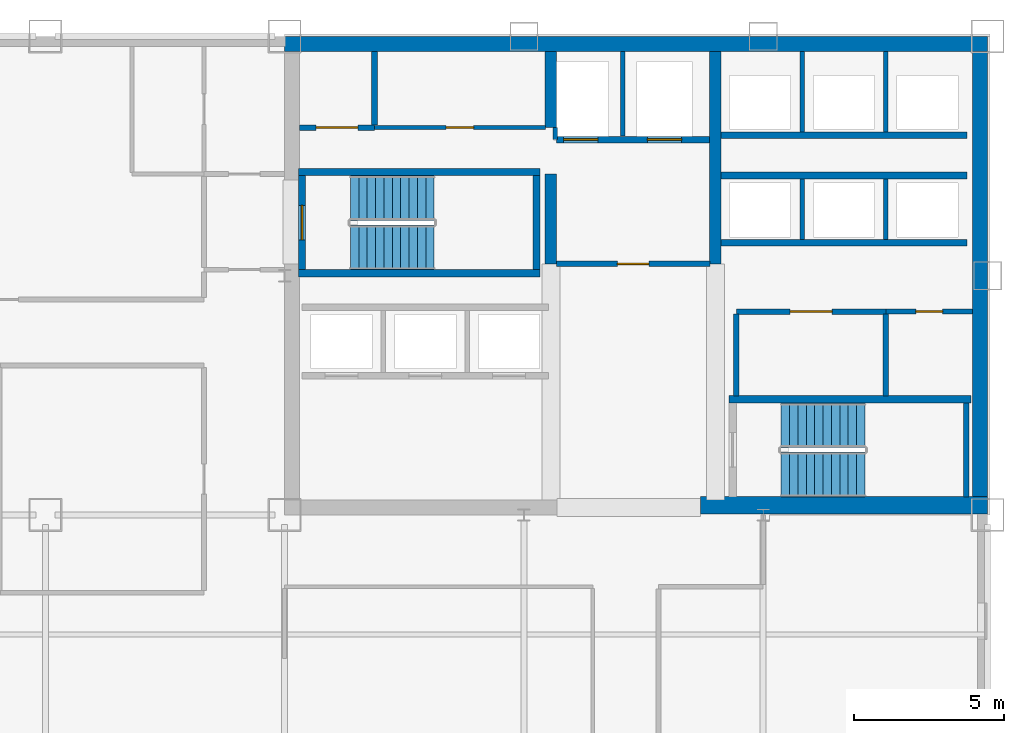
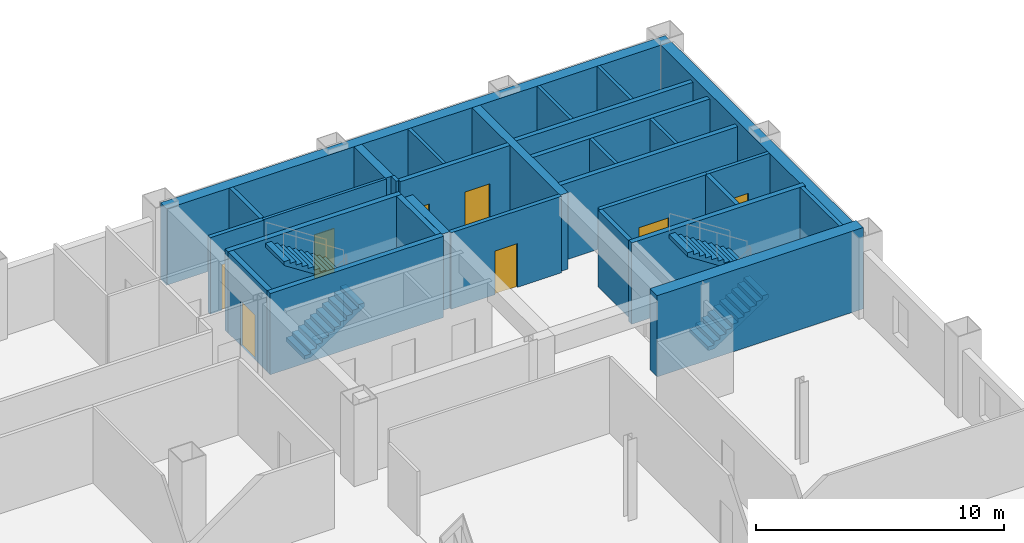
# One storey, part 7 of 9: 30 walls, 8 doors, 4 stair flights, 8 openings, 2 elements without a shape of their own.
"""IFC4 building model written with IfcOpenShell, lengths in metres."""

from ifc_helpers import new_model, si_unit, direction, frame, frame_2d, origin, place, context, subcontext, project, spatial, polyline, rectangle, outline, extrude, material, layer, layer_set, type_object, element, fill, aggregate, save


model = new_model("IFC4")

# Units and contexts
model_context = context("Model", 3, precision=1e-05, world=origin(), true_north=direction((0.0, 1.0)))
body_context = subcontext(model_context, "Body", "Model", "MODEL_VIEW")
ifc_project = project(units=[si_unit("LENGTHUNIT", "METRE"), si_unit("AREAUNIT", "SQUARE_METRE"), si_unit("VOLUMEUNIT", "CUBIC_METRE"), si_unit("PLANEANGLEUNIT", "RADIAN"), si_unit("MASSUNIT", "GRAM", prefix="KILO")], contexts=[model_context])

# Site, building, storey
site_placement = place(None, origin())
site = spatial("IfcSite", under=ifc_project, at=site_placement, CompositionType="ELEMENT")
building_placement = place(site_placement, origin())
building = spatial("IfcBuilding", under=site, at=building_placement, Name="Qianrong Seaharbour Tower", CompositionType="ELEMENT")
storey_placement = place(building_placement, frame((0.0, 0.0, 147.0)))
storey = spatial("IfcBuildingStorey", under=building, at=storey_placement, Name="L35", CompositionType="ELEMENT", Elevation=147.0)

# Walls
ifc_material_1 = material(Name="Concrete C60/75", Category="concrete")
ifc_layer_1 = layer(ifc_material_1, 0.5)
ifc_layer_set_1 = layer_set([ifc_layer_1], Name="Concrete C60/75")
wall_type_1 = type_object("IfcWallType", Name="WALL-CORE-500", PredefinedType="SHEAR", material=ifc_layer_set_1)
wall_1_placement = place(storey_placement, frame((40.5, 51.75, 0.0), z_axis=(0.0, 0.0, 1.0), x_axis=(1.0, 0.0, 0.0)))
element("IfcWall", 1, at=wall_1_placement, inside=storey, type_object=wall_type_1, Name="L35 North Core Shear Wall", PredefinedType="SHEAR", context=body_context, shape_type="SweptSolid", body=[
    extrude(rectangle(XDim=23.5, YDim=0.5, at=frame_2d((11.75, 0.0))), origin(), (0.0, 0.0, 1.0), 3.764892578125),
])
wall_2_placement = place(storey_placement, frame((63.75, 36.320068359375, 0.0), z_axis=(0.0, 0.0, 1.0), x_axis=(0.0, 1.0, 0.0)))
element("IfcWall", 2, at=wall_2_placement, inside=storey, type_object=wall_type_1, Name="L35 East Core Shear Wall", PredefinedType="SHEAR", context=body_context, shape_type="SweptSolid", body=[
    extrude(rectangle(XDim=15.179931640625, YDim=0.5, at=frame_2d((7.58984375, 0.0))), origin(), (0.0, 0.0, 1.0), 3.764892578125),
])
ifc_material_2 = material(Name="Concrete C70/85", Category="concrete")
ifc_layer_2 = layer(ifc_material_2, 0.580078125)
ifc_layer_set_2 = layer_set([ifc_layer_2], Name="Concrete C70/85")
wall_type_2 = type_object("IfcWallType", Name="WALL-CORE-580", PredefinedType="SHEAR", material=ifc_layer_set_2)
wall_3_placement = place(storey_placement, frame((54.39990234375, 36.320068359375, 0.0), z_axis=(0.0, 0.0, 1.0), x_axis=(1.0, 0.0, 0.0)))
element("IfcWall", 3, at=wall_3_placement, inside=storey, type_object=wall_type_2, Name="L35 South Core Shear Wall S3", PredefinedType="SHEAR", context=body_context, shape_type="SweptSolid", body=[
    extrude(rectangle(XDim=9.60009765625, YDim=0.580078125, at=frame_2d((4.800048828125, 0.0))), origin(), (0.0, 0.0, 1.0), 4.0),
])
ifc_layer_3 = layer(ifc_material_1, 0.3798828125)
ifc_layer_set_3 = layer_set([ifc_layer_3], Name="Concrete C60/75")
wall_type_3 = type_object("IfcWallType", Name="WALL-CORE-INT-380", PredefinedType="SHEAR", material=ifc_layer_set_3)
wall_4_placement = place(storey_placement, frame((49.39990234375, 44.39990234375, 0.0), z_axis=(0.0, 0.0, 1.0), x_axis=(0.0, 1.0, 0.0)))
element("IfcWall", 4, at=wall_4_placement, inside=storey, type_object=wall_type_3, Name="L35 Internal Core Shear Wall IW1N1", PredefinedType="SHEAR", context=body_context, shape_type="SweptSolid", body=[
    extrude(rectangle(XDim=3.0, YDim=0.3798828125, at=frame_2d((1.5, 0.0))), origin(), (0.0, 0.0, 1.0), 3.764892578125),
])
wall_5_placement = place(storey_placement, frame((49.39990234375, 48.949951171875, 0.0), z_axis=(0.0, 0.0, 1.0), x_axis=(0.0, 1.0, 0.0)))
element("IfcWall", 5, at=wall_5_placement, inside=storey, type_object=wall_type_3, Name="L35 Internal Core Shear Wall IW1N2", PredefinedType="SHEAR", context=body_context, shape_type="SweptSolid", body=[
    extrude(rectangle(XDim=2.550048828125, YDim=0.3798828125, at=frame_2d((1.27490234375, 0.0))), origin(), (0.0, 0.0, 1.0), 3.764892578125),
])
wall_6_placement = place(storey_placement, frame((54.89990234375, 44.39990234375, 0.0), z_axis=(0.0, 0.0, 1.0), x_axis=(0.0, 1.0, 0.0)))
element("IfcWall", 6, at=wall_6_placement, inside=storey, type_object=wall_type_3, Name="L35 Internal Core Shear Wall IW2N", PredefinedType="SHEAR", context=body_context, shape_type="SweptSolid", body=[
    extrude(rectangle(XDim=7.10009765625, YDim=0.3798828125, at=frame_2d((3.550048828125, 0.0))), origin(), (0.0, 0.0, 1.0), 3.764892578125),
])

# Wall, opening, door
ifc_material_3 = material(Name="Fire-rated acoustic gypsum board partition")
ifc_layer_4 = layer(ifc_material_3, 0.1650390625)
ifc_layer_set_4 = layer_set([ifc_layer_4], Name="Fire-rated acoustic gypsum board partition")
wall_type_4 = type_object("IfcWallType", Name="WALL-CORR-PART-165", PredefinedType="PARTITIONING", material=ifc_layer_set_4)
wall_7_placement = place(storey_placement, frame((63.5, 42.800048828125, 0.0), z_axis=(0.0, 0.0, 1.0), x_axis=(-1.0, 0.0, 0.0)))
wall_7 = element("IfcWall", 7, at=wall_7_placement, inside=storey, type_object=wall_type_4, Name="L35 Interior Partition Wall 012", PredefinedType="PARTITIONING", context=body_context, shape_type="SweptSolid", body=[
    extrude(rectangle(XDim=2.89990234375, YDim=0.1650390625, at=frame_2d((1.449951171875, 0.0))), origin(), (0.0, 0.0, 1.0), 3.764892578125),
])
opening_1_placement = place(wall_7_placement, frame((1.0, 0.0, 0.0)))
opening_1 = element("IfcOpeningElement", 8, at=opening_1_placement, cuts=wall_7, Name="Opening DS-01", PredefinedType="OPENING", context=body_context, shape_type="SweptSolid", body=[
    extrude(rectangle(XDim=0.89990234375, YDim=2.14990234375, at=frame_2d((0.449951171875, 1.074951171875))), frame((0.0, 0.092529296875, 0.0), z_axis=(0.0, -1.0, 0.0), x_axis=(1.0, 0.0, 0.0)), (0.0, 0.0, 1.0), 0.18505859375),
])
ifc_material_4 = material(Name="Acoustic timber and galvanized steel fire door assembly", Category="steel")
door_type_1 = type_object("IfcDoorType", Name="DOOR-STORE-900x2150", OperationType="NOTDEFINED", PredefinedType="DOOR", material=ifc_material_4)
door_1_placement = place(opening_1_placement, origin())
door_1 = element("IfcDoor", 9, at=door_1_placement, inside=storey, type_object=door_type_1, Name="L35 Housekeeping Linen Store Door", OperationType="SINGLE_SWING_LEFT", OverallHeight=2.14990234375, OverallWidth=0.89990234375, PredefinedType="DOOR", context=body_context, shape_type="SweptSolid", body=[
    extrude(rectangle(XDim=0.89990234375, YDim=2.14990234375, at=frame_2d((0.449951171875, 1.074951171875))), frame((0.0, 0.02490234375, 0.0), z_axis=(0.0, -1.0, 0.0), x_axis=(1.0, 0.0, 0.0)), (0.0, 0.0, 1.0), 0.050048828125),
])
fill(opening_1, door_1)

ifc_material_5 = material(Name="Double fire-rated gypsum board acoustic partition")
ifc_layer_5 = layer(ifc_material_5, 0.18994140625)
ifc_layer_set_5 = layer_set([ifc_layer_5], Name="Double fire-rated gypsum board acoustic partition")
wall_type_5 = type_object("IfcWallType", Name="WALL-FIRE-PART-190", PredefinedType="PARTITIONING", material=ifc_layer_set_5)
wall_8_placement = place(storey_placement, frame((41.0, 48.949951171875, 0.0), z_axis=(0.0, 0.0, 1.0), x_axis=(1.0, 0.0, 0.0)))
wall_8 = element("IfcWall", 10, at=wall_8_placement, inside=storey, type_object=wall_type_5, Name="L35 Interior Partition Wall 007", PredefinedType="PARTITIONING", context=body_context, shape_type="SweptSolid", body=[
    extrude(rectangle(XDim=2.5, YDim=0.18994140625, at=frame_2d((1.25, 0.0))), origin(), (0.0, 0.0, 1.0), 3.764892578125),
])
opening_2_placement = place(wall_8_placement, frame((0.550048828125, 0.0, 0.0)))
opening_2 = element("IfcOpeningElement", 11, at=opening_2_placement, cuts=wall_8, Name="Opening DP-01", PredefinedType="OPENING", context=body_context, shape_type="SweptSolid", body=[
    extrude(rectangle(XDim=1.39990234375, YDim=2.25, at=frame_2d((0.699951171875, 1.125))), frame((0.0, 0.10498046875, 0.0), z_axis=(0.0, -1.0, 0.0), x_axis=(1.0, 0.0, 0.0)), (0.0, 0.0, 1.0), 0.2099609375),
])
door_type_2 = type_object("IfcDoorType", Name="DOOR-PLANT-PAIR-1400x2250", OperationType="DOUBLE_DOOR_SINGLE_SWING", PredefinedType="DOOR", material=ifc_material_4)
door_2_placement = place(opening_2_placement, origin())
door_2 = element("IfcDoor", 12, at=door_2_placement, inside=storey, type_object=door_type_2, Name="L35 Core Electrical Closet Door", OperationType="DOUBLE_DOOR_SINGLE_SWING", OverallHeight=2.25, OverallWidth=1.39990234375, PredefinedType="DOOR", context=body_context, shape_type="SweptSolid", body=[
    extrude(rectangle(XDim=1.39990234375, YDim=2.25, at=frame_2d((0.699951171875, 1.125))), frame((0.0, 0.02490234375, 0.0), z_axis=(0.0, -1.0, 0.0), x_axis=(1.0, 0.0, 0.0)), (0.0, 0.0, 1.0), 0.050048828125),
])
fill(opening_2, door_2)

wall_9_placement = place(storey_placement, frame((54.718017578125, 44.39990234375, 0.0), z_axis=(0.0, 0.0, 1.0), x_axis=(-1.0, 0.0, 0.0)))
wall_9 = element("IfcWall", 13, at=wall_9_placement, inside=storey, type_object=wall_type_5, Name="L35 Interior Partition Wall 009", PredefinedType="PARTITIONING", context=body_context, shape_type="SweptSolid", body=[
    extrude(rectangle(XDim=5.135986328125, YDim=0.18994140625, at=frame_2d((2.56787109375, 0.0))), origin(), (0.0, 0.0, 1.0), 3.764892578125),
])
opening_3_placement = place(wall_9_placement, frame((2.04296875, 0.0, 0.0)))
opening_3 = element("IfcOpeningElement", 14, at=opening_3_placement, cuts=wall_9, Name="Opening DC-01", PredefinedType="OPENING", context=body_context, shape_type="SweptSolid", body=[
    extrude(rectangle(XDim=1.050048828125, YDim=2.14990234375, at=frame_2d((0.52490234375, 1.074951171875))), frame((0.0, 0.10498046875, 0.0), z_axis=(0.0, -1.0, 0.0), x_axis=(1.0, 0.0, 0.0)), (0.0, 0.0, 1.0), 0.2099609375),
])
door_type_3 = type_object("IfcDoorType", Name="DOOR-CORR-FD60-1050x2150", OperationType="NOTDEFINED", PredefinedType="DOOR", material=ifc_material_4)
door_3_placement = place(opening_3_placement, origin())
door_3 = element("IfcDoor", 15, at=door_3_placement, inside=storey, type_object=door_type_3, Name="L35 Firefighting Lift Lobby Door", OperationType="SINGLE_SWING_LEFT", OverallHeight=2.14990234375, OverallWidth=1.050048828125, PredefinedType="DOOR", context=body_context, shape_type="SweptSolid", body=[
    extrude(rectangle(XDim=1.050048828125, YDim=2.14990234375, at=frame_2d((0.52490234375, 1.074951171875))), frame((0.0, 0.02490234375, 0.0), z_axis=(0.0, -1.0, 0.0), x_axis=(1.0, 0.0, 0.0)), (0.0, 0.0, 1.0), 0.050048828125),
])
fill(opening_3, door_3)

# Wall
wall_10_placement = place(storey_placement, frame((55.60009765625, 42.712890625, 0.0), z_axis=(0.0, 0.0, 1.0), x_axis=(0.0, -1.0, 0.0)))
element("IfcWall", 16, at=wall_10_placement, inside=storey, type_object=wall_type_5, Name="L35 Interior Partition Wall 010", PredefinedType="PARTITIONING", context=body_context, shape_type="SweptSolid", body=[
    extrude(rectangle(XDim=2.73095703125, YDim=0.18994140625, at=frame_2d((1.365478515625, 0.0))), origin(), (0.0, 0.0, 1.0), 3.764892578125),
])

# Wall, opening, door
wall_11_placement = place(storey_placement, frame((60.60009765625, 42.800048828125, 0.0), z_axis=(0.0, 0.0, 1.0), x_axis=(-1.0, 0.0, 0.0)))
wall_11 = element("IfcWall", 17, at=wall_11_placement, inside=storey, type_object=wall_type_5, Name="L35 Interior Partition Wall 011", PredefinedType="PARTITIONING", context=body_context, shape_type="SweptSolid", body=[
    extrude(rectangle(XDim=5.0, YDim=0.18994140625, at=frame_2d((2.5, 0.0))), origin(), (0.0, 0.0, 1.0), 3.764892578125),
])
opening_4_placement = place(wall_11_placement, frame((1.800048828125, 0.0, 0.0)))
opening_4 = element("IfcOpeningElement", 18, at=opening_4_placement, cuts=wall_11, Name="Opening DP-01", PredefinedType="OPENING", context=body_context, shape_type="SweptSolid", body=[
    extrude(rectangle(XDim=1.39990234375, YDim=2.25, at=frame_2d((0.699951171875, 1.125))), frame((0.0, 0.10498046875, 0.0), z_axis=(0.0, -1.0, 0.0), x_axis=(1.0, 0.0, 0.0)), (0.0, 0.0, 1.0), 0.2099609375),
])
door_4_placement = place(opening_4_placement, origin())
door_4 = element("IfcDoor", 19, at=door_4_placement, inside=storey, type_object=door_type_2, Name="L35 Submetering Switch Room Door", OperationType="DOUBLE_DOOR_SINGLE_SWING", OverallHeight=2.25, OverallWidth=1.39990234375, PredefinedType="DOOR", context=body_context, shape_type="SweptSolid", body=[
    extrude(rectangle(XDim=1.39990234375, YDim=2.25, at=frame_2d((0.699951171875, 1.125))), frame((0.0, 0.02490234375, 0.0), z_axis=(0.0, -1.0, 0.0), x_axis=(1.0, 0.0, 0.0)), (0.0, 0.0, 1.0), 0.050048828125),
])
fill(opening_4, door_4)

# Walls
wall_12_placement = place(storey_placement, frame((43.5, 51.5, 0.0), z_axis=(0.0, 0.0, 1.0), x_axis=(0.0, -1.0, 0.0)))
element("IfcWall", 20, at=wall_12_placement, inside=storey, type_object=wall_type_5, Name="L35 Interior Partition Wall 013", PredefinedType="PARTITIONING", context=body_context, shape_type="SweptSolid", body=[
    extrude(rectangle(XDim=2.462890625, YDim=0.18994140625, at=frame_2d((1.2314453125, 0.0))), origin(), (0.0, 0.0, 1.0), 3.764892578125),
])
wall_13_placement = place(storey_placement, frame((60.60009765625, 42.712890625, 0.0), z_axis=(0.0, 0.0, 1.0), x_axis=(0.0, -1.0, 0.0)))
element("IfcWall", 21, at=wall_13_placement, inside=storey, type_object=wall_type_5, Name="L35 Interior Partition Wall 014", PredefinedType="PARTITIONING", context=body_context, shape_type="SweptSolid", body=[
    extrude(rectangle(XDim=2.73095703125, YDim=0.18994140625, at=frame_2d((1.365478515625, 0.0))), origin(), (0.0, 0.0, 1.0), 3.764892578125),
])
ifc_material_6 = material(Name="Fire-rated gypsum board on steel studs", Category="steel")
ifc_layer_6 = layer(ifc_material_6, 0.14990234375)
ifc_layer_set_6 = layer_set([ifc_layer_6], Name="Fire-rated gypsum board on steel studs")
wall_type_6 = type_object("IfcWallType", Name="WALL-SHAFT-DIV-150", PredefinedType="PARTITIONING", material=ifc_layer_set_6)
wall_14_placement = place(storey_placement, frame((51.800048828125, 48.669921875, 0.0), z_axis=(0.0, 0.0, 1.0), x_axis=(0.0, 1.0, 0.0)))
element("IfcWall", 22, at=wall_14_placement, inside=storey, type_object=wall_type_6, Name="L35 Firefighting Lift Shaft Divider Wall", PredefinedType="PARTITIONING", context=body_context, shape_type="SweptSolid", body=[
    extrude(rectangle(XDim=2.830078125, YDim=0.14990234375, at=frame_2d((1.4150390625, 0.0))), origin(), (0.0, 0.0, 1.0), 3.764892578125),
])
wall_15_placement = place(storey_placement, frame((49.550048828125, 48.550048828125, 0.0), z_axis=(0.0, 0.0, 1.0), x_axis=(0.0, 1.0, 0.0)))
element("IfcWall", 23, at=wall_15_placement, inside=storey, type_object=wall_type_6, Name="L35 Firefighting Lift Shaft West Return Wall", PredefinedType="PARTITIONING", context=body_context, shape_type="SweptSolid", body=[
    extrude(rectangle(XDim=0.39990234375, YDim=0.14990234375, at=frame_2d((0.199951171875, 0.0))), origin(), (0.0, 0.0, 1.0), 3.764892578125),
])
for number, where, z_axis, x_axis, name in (
    (24, (57.800048828125, 45.2099609375, 0.0), (0.0, 0.0, 1.0), (0.0, 1.0, 0.0), "L35 P3 Lift Hoistway Divider 2"),
    (25, (60.60009765625, 45.2099609375, 0.0), (0.0, 0.0, 1.0), (0.0, 1.0, 0.0), "L35 P3 Lift Hoistway Divider 3"),
):
    element("IfcWall", number, at=place(storey_placement, frame(where, z_axis=z_axis, x_axis=x_axis)), inside=storey, type_object=wall_type_6, Name=name, PredefinedType="PARTITIONING", context=body_context, shape_type="SweptSolid", body=[
        extrude(rectangle(XDim=2.030029296875, YDim=0.14990234375, at=frame_2d((1.01513671875, 0.0))), origin(), (0.0, 0.0, 1.0), 3.764892578125),
    ])
for number, where, z_axis, x_axis, name in (
    (26, (57.800048828125, 48.81005859375, 0.0), (0.0, 0.0, 1.0), (0.0, 1.0, 0.0), "L35 P4 Lift Hoistway Divider 2"),
    (27, (60.60009765625, 48.81005859375, 0.0), (0.0, 0.0, 1.0), (0.0, 1.0, 0.0), "L35 P4 Lift Hoistway Divider 3"),
):
    element("IfcWall", number, at=place(storey_placement, frame(where, z_axis=z_axis, x_axis=x_axis)), inside=storey, type_object=wall_type_6, Name=name, PredefinedType="PARTITIONING", context=body_context, shape_type="SweptSolid", body=[
        extrude(rectangle(XDim=2.68994140625, YDim=0.14990234375, at=frame_2d((1.344970703125, 0.0))), origin(), (0.0, 0.0, 1.0), 3.764892578125),
    ])

# Wall, openings, doors
ifc_layer_7 = layer(ifc_material_6, 0.219970703125)
ifc_layer_set_7 = layer_set([ifc_layer_7], Name="Fire-rated gypsum board on steel studs")
wall_type_7 = type_object("IfcWallType", Name="WALL-SHAFT-GYP220", PredefinedType="PARTITIONING", material=ifc_layer_set_7)
wall_16_placement = place(storey_placement, frame((54.7099609375, 48.550048828125, 0.0), z_axis=(0.0, 0.0, 1.0), x_axis=(-1.0, 0.0, 0.0)))
wall_16 = element("IfcWall", 28, at=wall_16_placement, inside=storey, type_object=wall_type_7, Name="L35 Firefighting Lift Shaft Front Wall", PredefinedType="PARTITIONING", context=body_context, shape_type="SweptSolid", body=[
    extrude(rectangle(XDim=5.119873046875, YDim=0.219970703125, at=frame_2d((2.56005859375, 0.0))), origin(), (0.0, 0.0, 1.0), 3.764892578125),
])
opening_5_placement = place(wall_16_placement, frame((3.735107421875, 0.0, 0.0)))
opening_5 = element("IfcOpeningElement", 29, at=opening_5_placement, cuts=wall_16, Name="Opening LD-01", PredefinedType="OPENING", context=body_context, shape_type="SweptSolid", body=[
    extrude(rectangle(XDim=1.14990234375, YDim=2.199951171875, at=frame_2d((0.574951171875, 1.10009765625))), frame((0.0, 0.1201171875, 0.0), z_axis=(0.0, -1.0, 0.0), x_axis=(1.0, 0.0, 0.0)), (0.0, 0.0, 1.0), 0.239990234375),
])
opening_6_placement = place(wall_16_placement, frame((0.93505859375, 0.0, 0.0)))
opening_6 = element("IfcOpeningElement", 30, at=opening_6_placement, cuts=wall_16, Name="Opening LD-01", PredefinedType="OPENING", context=body_context, shape_type="SweptSolid", body=[
    extrude(rectangle(XDim=1.14990234375, YDim=2.199951171875, at=frame_2d((0.574951171875, 1.10009765625))), frame((0.0, 0.1201171875, 0.0), z_axis=(0.0, -1.0, 0.0), x_axis=(1.0, 0.0, 0.0)), (0.0, 0.0, 1.0), 0.239990234375),
])
ifc_material_7 = material(Name="Stainless steel SUS316L bi-parting lift landing door", Category="steel")
door_type_4 = type_object("IfcDoorType", Name="DOOR-LIFT-FF-1150x2200", OperationType="DOUBLE_DOOR_SLIDING", PredefinedType="DOOR", material=ifc_material_7)
door_5_placement = place(opening_5_placement, origin())
door_5 = element("IfcDoor", 31, at=door_5_placement, inside=storey, type_object=door_type_4, Name="L35 FL-1 Firefighting Lift Landing Door", OperationType="DOUBLE_DOOR_SLIDING", OverallHeight=2.199951171875, OverallWidth=1.14990234375, PredefinedType="DOOR", context=body_context, shape_type="SweptSolid", body=[
    extrude(rectangle(XDim=1.14990234375, YDim=2.199951171875, at=frame_2d((0.574951171875, 1.10009765625))), frame((0.0, 0.02490234375, 0.0), z_axis=(0.0, -1.0, 0.0), x_axis=(1.0, 0.0, 0.0)), (0.0, 0.0, 1.0), 0.050048828125),
])
fill(opening_5, door_5)
door_6_placement = place(opening_6_placement, origin())
door_6 = element("IfcDoor", 32, at=door_6_placement, inside=storey, type_object=door_type_4, Name="L35 FL-2 Firefighting Lift Landing Door", OperationType="DOUBLE_DOOR_SLIDING", OverallHeight=2.199951171875, OverallWidth=1.14990234375, PredefinedType="DOOR", context=body_context, shape_type="SweptSolid", body=[
    extrude(rectangle(XDim=1.14990234375, YDim=2.199951171875, at=frame_2d((0.574951171875, 1.10009765625))), frame((0.0, 0.02490234375, 0.0), z_axis=(0.0, -1.0, 0.0), x_axis=(1.0, 0.0, 0.0)), (0.0, 0.0, 1.0), 0.050048828125),
])
fill(opening_6, door_6)

# Walls
for number, where, z_axis, x_axis, name in (
    (33, (63.320068359375, 45.10009765625, 0.0), (0.0, 0.0, 1.0), (-1.0, 0.0, 0.0), "L35 P3 Lift Hoistway Front Wall"),
    (34, (55.080078125, 47.35009765625, 0.0), (0.0, 0.0, 1.0), (1.0, 0.0, 0.0), "L35 P3 Lift Hoistway Back Wall"),
    (35, (63.320068359375, 48.699951171875, 0.0), (0.0, 0.0, 1.0), (-1.0, 0.0, 0.0), "L35 P4 Lift Hoistway Front Wall"),
):
    element("IfcWall", number, at=place(storey_placement, frame(where, z_axis=z_axis, x_axis=x_axis)), inside=storey, type_object=wall_type_7, Name=name, PredefinedType="PARTITIONING", context=body_context, shape_type="SweptSolid", body=[
        extrude(rectangle(XDim=8.239990234375, YDim=0.219970703125, at=frame_2d((4.1201171875, 0.0))), origin(), (0.0, 0.0, 1.0), 3.764892578125),
    ])
ifc_material_8 = material(Name="Concrete C50/60", Category="concrete")
ifc_layer_8 = layer(ifc_material_8, 0.239990234375)
ifc_layer_set_8 = layer_set([ifc_layer_8], Name="Concrete C50/60")
wall_type_8 = type_object("IfcWallType", Name="WALL-SHAFT-RC240", PredefinedType="SOLIDWALL", material=ifc_layer_set_8)
for number, where, z_axis, x_axis, name in (
    (36, (40.9599609375, 47.469970703125, 0.0), (0.0, 0.0, 1.0), (1.0, 0.0, 0.0), "L35 ST-1 Structural Stair Core Wall N"),
    (37, (49.0400390625, 44.080078125, 0.0), (0.0, 0.0, 1.0), (-1.0, 0.0, 0.0), "L35 ST-1 Structural Stair Core Wall S"),
):
    element("IfcWall", number, at=place(storey_placement, frame(where, z_axis=z_axis, x_axis=x_axis)), inside=storey, type_object=wall_type_8, Name=name, PredefinedType="SOLIDWALL", context=body_context, shape_type="SweptSolid", body=[
        extrude(rectangle(XDim=8.080078125, YDim=0.239990234375, at=frame_2d((4.0400390625, 0.0))), origin(), (0.0, 0.0, 1.0), 4.0),
    ])

# Wall, opening, door
wall_17_placement = place(storey_placement, frame((41.080078125, 47.35009765625, 0.0), z_axis=(0.0, 0.0, 1.0), x_axis=(0.0, -1.0, 0.0)))
wall_17 = element("IfcWall", 38, at=wall_17_placement, inside=storey, type_object=wall_type_8, Name="L35 ST-1 Structural Stair Core Wall W", PredefinedType="SOLIDWALL", context=body_context, shape_type="SweptSolid", body=[
    extrude(rectangle(XDim=3.150146484375, YDim=0.239990234375, at=frame_2d((1.5751953125, 0.0))), origin(), (0.0, 0.0, 1.0), 4.0),
])
opening_7_placement = place(wall_17_placement, frame((1.0, 0.0, 0.0)))
opening_7 = element("IfcOpeningElement", 39, at=opening_7_placement, cuts=wall_17, Name="Opening SD-01", PredefinedType="OPENING", context=body_context, shape_type="SweptSolid", body=[
    extrude(rectangle(XDim=1.14990234375, YDim=2.199951171875, at=frame_2d((0.574951171875, 1.10009765625))), frame((0.0, 0.1298828125, 0.0), z_axis=(0.0, -1.0, 0.0), x_axis=(1.0, 0.0, 0.0)), (0.0, 0.0, 1.0), 0.260009765625),
])
door_type_5 = type_object("IfcDoorType", Name="DOOR-STAIR-FD60-1150x2200", OperationType="NOTDEFINED", PredefinedType="DOOR", material=ifc_material_4)
door_7_placement = place(opening_7_placement, origin())
door_7 = element("IfcDoor", 40, at=door_7_placement, inside=storey, type_object=door_type_5, Name="L35 ST-1 Protected Stair Door", OperationType="SINGLE_SWING_RIGHT", OverallHeight=2.199951171875, OverallWidth=1.14990234375, PredefinedType="DOOR", context=body_context, shape_type="SweptSolid", body=[
    extrude(rectangle(XDim=1.14990234375, YDim=2.199951171875, at=frame_2d((0.574951171875, 1.10009765625))), frame((0.0, 0.02490234375, 0.0), z_axis=(0.0, -1.0, 0.0), x_axis=(1.0, 0.0, 0.0)), (0.0, 0.0, 1.0), 0.050048828125),
])
fill(opening_7, door_7)

# Walls
wall_18_placement = place(storey_placement, frame((48.919921875, 44.199951171875, 0.0), z_axis=(0.0, 0.0, 1.0), x_axis=(0.0, 1.0, 0.0)))
element("IfcWall", 41, at=wall_18_placement, inside=storey, type_object=wall_type_8, Name="L35 ST-1 Structural Stair Core Wall E", PredefinedType="SOLIDWALL", context=body_context, shape_type="SweptSolid", body=[
    extrude(rectangle(XDim=3.150146484375, YDim=0.239990234375, at=frame_2d((1.5751953125, 0.0))), origin(), (0.0, 0.0, 1.0), 4.0),
])
wall_19_placement = place(storey_placement, frame((55.360107421875, 39.8701171875, 0.0), z_axis=(0.0, 0.0, 1.0), x_axis=(1.0, 0.0, 0.0)))
element("IfcWall", 42, at=wall_19_placement, inside=storey, type_object=wall_type_8, Name="L35 ST-2 Structural Stair Core Wall N", PredefinedType="SOLIDWALL", context=body_context, shape_type="SweptSolid", body=[
    extrude(rectangle(XDim=8.079833984375, YDim=0.239990234375, at=frame_2d((4.0400390625, 0.0))), origin(), (0.0, 0.0, 1.0), 4.0),
])
wall_20_placement = place(storey_placement, frame((63.2900390625, 36.60009765625, 0.0), z_axis=(0.0, 0.0, 1.0), x_axis=(0.0, 1.0, 0.0)))
element("IfcWall", 43, at=wall_20_placement, inside=storey, type_object=wall_type_8, Name="L35 ST-2 Structural Stair Core Wall E", PredefinedType="SOLIDWALL", context=body_context, shape_type="SweptSolid", body=[
    extrude(rectangle(XDim=3.14990234375, YDim=0.179931640625, at=frame_2d((1.574951171875, 0.0))), origin(), (0.0, 0.0, 1.0), 4.0),
])

# Wall, opening, door
ifc_material_9 = material(Name="Water-resistant cement board sanitary partition")
ifc_layer_9 = layer(ifc_material_9, 0.1298828125)
ifc_layer_set_9 = layer_set([ifc_layer_9], Name="Water-resistant cement board sanitary partition")
wall_type_9 = type_object("IfcWallType", Name="WALL-WET-PART-130", PredefinedType="PARTITIONING", material=ifc_layer_set_9)
wall_21_placement = place(storey_placement, frame((43.5, 48.949951171875, 0.0), z_axis=(0.0, 0.0, 1.0), x_axis=(1.0, 0.0, 0.0)))
wall_21 = element("IfcWall", 44, at=wall_21_placement, inside=storey, type_object=wall_type_9, Name="L35 Interior Partition Wall 008", PredefinedType="PARTITIONING", context=body_context, shape_type="SweptSolid", body=[
    extrude(rectangle(XDim=5.718017578125, YDim=0.1298828125, at=frame_2d((2.85888671875, 0.0))), origin(), (0.0, 0.0, 1.0), 3.764892578125),
])
opening_8_placement = place(wall_21_placement, frame((2.39892578125, 0.0, 0.0)))
opening_8 = element("IfcOpeningElement", 45, at=opening_8_placement, cuts=wall_21, Name="Opening DW-01", PredefinedType="OPENING", context=body_context, shape_type="SweptSolid", body=[
    extrude(rectangle(XDim=0.919921875, YDim=2.14990234375, at=frame_2d((0.4599609375, 1.074951171875))), frame((0.0, 0.074951171875, 0.0), z_axis=(0.0, -1.0, 0.0), x_axis=(1.0, 0.0, 0.0)), (0.0, 0.0, 1.0), 0.14990234375),
])
door_type_6 = type_object("IfcDoorType", Name="DOOR-WC-920x2150", OperationType="NOTDEFINED", PredefinedType="DOOR", material=ifc_material_4)
door_8_placement = place(opening_8_placement, origin())
door_8 = element("IfcDoor", 46, at=door_8_placement, inside=storey, type_object=door_type_6, Name="L35 Staff Restroom WC Door", OperationType="SINGLE_SWING_RIGHT", OverallHeight=2.14990234375, OverallWidth=0.919921875, PredefinedType="DOOR", context=body_context, shape_type="SweptSolid", body=[
    extrude(rectangle(XDim=0.919921875, YDim=2.14990234375, at=frame_2d((0.4599609375, 1.074951171875))), frame((0.0, 0.02490234375, 0.0), z_axis=(0.0, -1.0, 0.0), x_axis=(1.0, 0.0, 0.0)), (0.0, 0.0, 1.0), 0.050048828125),
])
fill(opening_8, door_8)

# Stair, stair flights
stair_type = type_object("IfcStairType", Name="STAIR-DOGLEG-1500-R22", PredefinedType="HALF_TURN_STAIR", material=ifc_material_8)
stair_1_placement = place(storey_placement, origin())
stair_1 = element("IfcStair", 47, at=stair_1_placement, inside=storey, type_object=stair_type, Name="L35 Protected Escape Stair ST-1", PredefinedType="HALF_TURN_STAIR")
stair_flight_type = type_object("IfcStairFlightType", Name="FLIGHT-STR-1500-R22", PredefinedType="STRAIGHT", material=ifc_material_8)
stair_flight_1_placement = place(storey_placement, frame((42.699951171875, 44.949951171875, 0.0), z_axis=(0.0, 0.0, 1.0), x_axis=(1.0, 0.0, 0.0)))
stair_flight_1 = element("IfcStairFlight", 48, at=stair_flight_1_placement, type_object=stair_flight_type, Name="ST-1 flight 1", NumberOfRisers=11, NumberOfTreads=10, PredefinedType="STRAIGHT", RiserHeight=0.181818182, TreadLength=0.28, context=body_context, shape_type="SweptSolid", body=[
    extrude(outline(polyline([(0.0, 0.0), (0.0, 0.181884765625), (0.280029296875, 0.181884765625), (0.280029296875, 0.363525390625), (0.56005859375, 0.363525390625), (0.56005859375, 0.54541015625), (0.840087890625, 0.54541015625), (0.840087890625, 0.727294921875), (1.1201171875, 0.727294921875), (1.1201171875, 0.9091796875), (1.39990234375, 0.9091796875), (1.39990234375, 1.0908203125), (1.679931640625, 1.0908203125), (1.679931640625, 1.272705078125), (1.9599609375, 1.272705078125), (1.9599609375, 1.45458984375), (2.239990234375, 1.45458984375), (2.239990234375, 1.636474609375), (2.52001953125, 1.636474609375), (2.52001953125, 1.818115234375), (2.800048828125, 1.818115234375), (2.800048828125, 2.0), (2.800048828125, 1.62744140625), (0.293701171875, 0.0), (0.0, 0.0)])), frame((0.0, 0.75, 0.0), z_axis=(0.0, -1.0, 0.0), x_axis=(1.0, 0.0, 0.0)), (0.0, 0.0, 1.0), 1.5),
])
stair_flight_2_placement = place(storey_placement, frame((45.5, 46.60009765625, 2.0), z_axis=(0.0, 0.0, 1.0), x_axis=(-1.0, 0.0, 0.0)))
stair_flight_2 = element("IfcStairFlight", 49, at=stair_flight_2_placement, type_object=stair_flight_type, Name="ST-1 flight 2", NumberOfRisers=11, NumberOfTreads=10, PredefinedType="STRAIGHT", RiserHeight=0.181818182, TreadLength=0.28, context=body_context, shape_type="SweptSolid", body=[
    extrude(outline(polyline([(0.0, 0.0), (0.0, 0.181884765625), (0.280029296875, 0.181884765625), (0.280029296875, 0.363525390625), (0.56005859375, 0.363525390625), (0.56005859375, 0.54541015625), (0.840087890625, 0.54541015625), (0.840087890625, 0.727294921875), (1.1201171875, 0.727294921875), (1.1201171875, 0.9091796875), (1.39990234375, 0.9091796875), (1.39990234375, 1.0908203125), (1.679931640625, 1.0908203125), (1.679931640625, 1.272705078125), (1.9599609375, 1.272705078125), (1.9599609375, 1.45458984375), (2.239990234375, 1.45458984375), (2.239990234375, 1.636474609375), (2.52001953125, 1.636474609375), (2.52001953125, 1.818115234375), (2.800048828125, 1.818115234375), (2.800048828125, 2.0), (2.800048828125, 1.62744140625), (0.293701171875, 0.0), (0.0, 0.0)])), frame((0.0, 0.75, 0.0), z_axis=(0.0, -1.0, 0.0), x_axis=(1.0, 0.0, 0.0)), (0.0, 0.0, 1.0), 1.5),
])
aggregate(stair_1, [stair_flight_1, stair_flight_2])

stair_2_placement = place(storey_placement, origin())
stair_2 = element("IfcStair", 50, at=stair_2_placement, inside=storey, type_object=stair_type, Name="L35 Protected Escape Stair ST-2", PredefinedType="HALF_TURN_STAIR")
stair_flight_3_placement = place(storey_placement, frame((57.10009765625, 37.35009765625, 0.0), z_axis=(0.0, 0.0, 1.0), x_axis=(1.0, 0.0, 0.0)))
stair_flight_3 = element("IfcStairFlight", 51, at=stair_flight_3_placement, type_object=stair_flight_type, Name="ST-2 flight 1", NumberOfRisers=11, NumberOfTreads=10, PredefinedType="STRAIGHT", RiserHeight=0.181818182, TreadLength=0.28, context=body_context, shape_type="SweptSolid", body=[
    extrude(outline(polyline([(0.0, 0.0), (0.0, 0.181884765625), (0.280029296875, 0.181884765625), (0.280029296875, 0.363525390625), (0.56005859375, 0.363525390625), (0.56005859375, 0.54541015625), (0.840087890625, 0.54541015625), (0.840087890625, 0.727294921875), (1.1201171875, 0.727294921875), (1.1201171875, 0.9091796875), (1.39990234375, 0.9091796875), (1.39990234375, 1.0908203125), (1.679931640625, 1.0908203125), (1.679931640625, 1.272705078125), (1.9599609375, 1.272705078125), (1.9599609375, 1.45458984375), (2.239990234375, 1.45458984375), (2.239990234375, 1.636474609375), (2.52001953125, 1.636474609375), (2.52001953125, 1.818115234375), (2.800048828125, 1.818115234375), (2.800048828125, 2.0), (2.800048828125, 1.62744140625), (0.293701171875, 0.0), (0.0, 0.0)])), frame((0.0, 0.75, 0.0), z_axis=(0.0, -1.0, 0.0), x_axis=(1.0, 0.0, 0.0)), (0.0, 0.0, 1.0), 1.5),
])
stair_flight_4_placement = place(storey_placement, frame((59.89990234375, 39.0, 2.0), z_axis=(0.0, 0.0, 1.0), x_axis=(-1.0, 0.0, 0.0)))
stair_flight_4 = element("IfcStairFlight", 52, at=stair_flight_4_placement, type_object=stair_flight_type, Name="ST-2 flight 2", NumberOfRisers=11, NumberOfTreads=10, PredefinedType="STRAIGHT", RiserHeight=0.181818182, TreadLength=0.28, context=body_context, shape_type="SweptSolid", body=[
    extrude(outline(polyline([(0.0, 0.0), (0.0, 0.181884765625), (0.280029296875, 0.181884765625), (0.280029296875, 0.363525390625), (0.56005859375, 0.363525390625), (0.56005859375, 0.54541015625), (0.840087890625, 0.54541015625), (0.840087890625, 0.727294921875), (1.1201171875, 0.727294921875), (1.1201171875, 0.9091796875), (1.39990234375, 0.9091796875), (1.39990234375, 1.0908203125), (1.679931640625, 1.0908203125), (1.679931640625, 1.272705078125), (1.9599609375, 1.272705078125), (1.9599609375, 1.45458984375), (2.239990234375, 1.45458984375), (2.239990234375, 1.636474609375), (2.52001953125, 1.636474609375), (2.52001953125, 1.818115234375), (2.800048828125, 1.818115234375), (2.800048828125, 2.0), (2.800048828125, 1.62744140625), (0.293701171875, 0.0), (0.0, 0.0)])), frame((0.0, 0.75, 0.0), z_axis=(0.0, -1.0, 0.0), x_axis=(1.0, 0.0, 0.0)), (0.0, 0.0, 1.0), 1.5),
])
aggregate(stair_2, [stair_flight_3, stair_flight_4])

save(model, "model.ifc")
